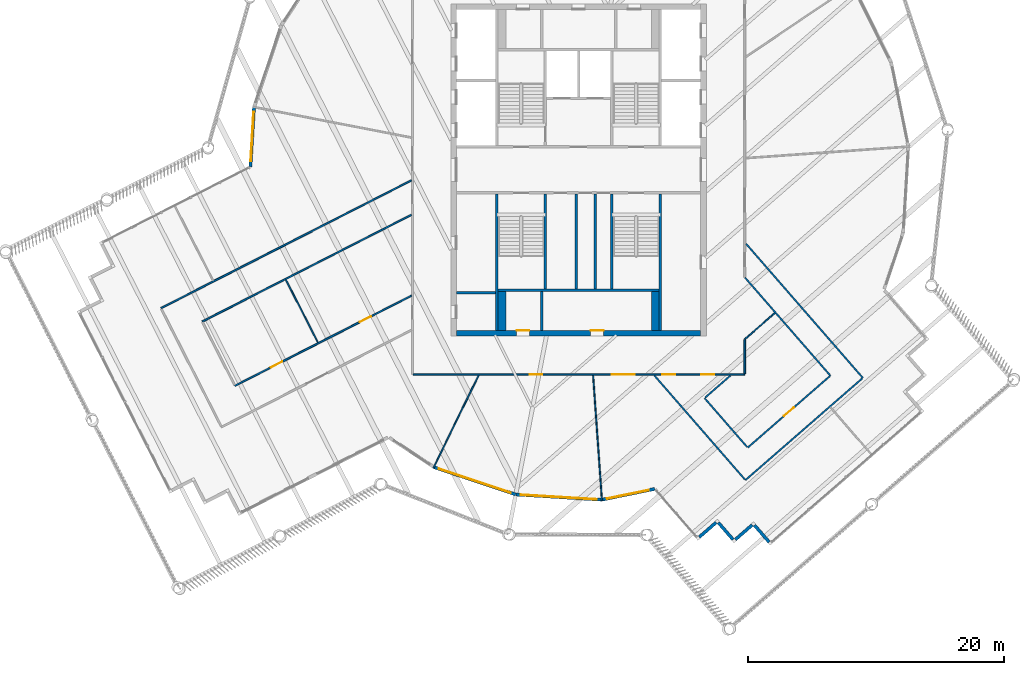
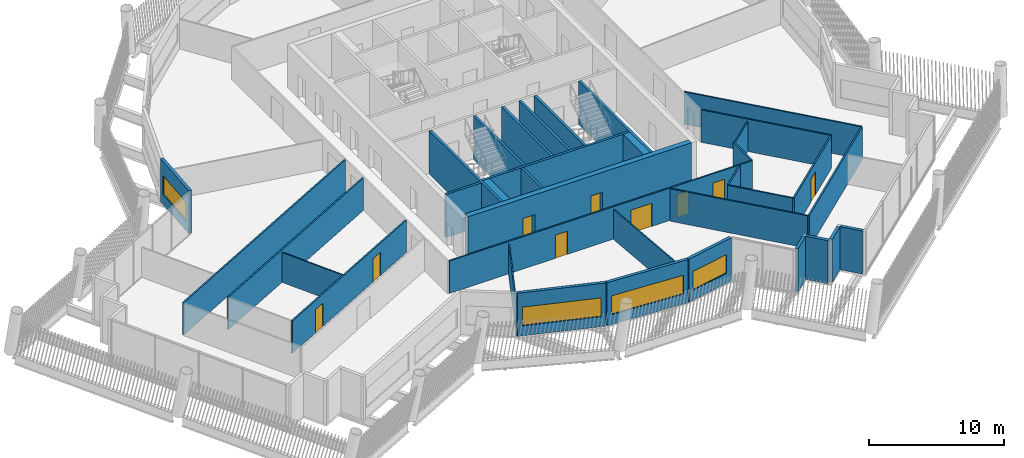
# One storey, part 18 of 28: 36 walls, 9 doors, 4 windows, 13 openings.
"""IFC4 building model written with IfcOpenShell, lengths in metres."""

from ifc_helpers import new_model, si_unit, direction, frame, frame_2d, origin, place, context, subcontext, project, spatial, rectangle, extrude, material, layer, layer_set, type_object, element, fill, save


model = new_model("IFC4")

# Units and contexts
model_context = context("Model", 3, precision=1e-05, world=origin(), true_north=direction((0.0, 1.0)))
body_context = subcontext(model_context, "Body", "Model", "MODEL_VIEW")
ifc_project = project(units=[si_unit("LENGTHUNIT", "METRE"), si_unit("AREAUNIT", "SQUARE_METRE"), si_unit("VOLUMEUNIT", "CUBIC_METRE"), si_unit("PLANEANGLEUNIT", "RADIAN"), si_unit("MASSUNIT", "GRAM", prefix="KILO")], contexts=[model_context])

# Site, building, storey
site_placement = place(None, origin())
site = spatial("IfcSite", under=ifc_project, at=site_placement, CompositionType="ELEMENT")
building_placement = place(site_placement, origin())
building = spatial("IfcBuilding", under=site, at=building_placement, Name="Tarsis Ring Headquarters", CompositionType="ELEMENT")
storey_placement = place(building_placement, frame((0.0, 0.0, 394.39990234375)))
storey = spatial("IfcBuildingStorey", under=building, at=storey_placement, Name="L93", CompositionType="ELEMENT", Elevation=394.39990234375)

# Walls
ifc_material_1 = material(Name="Blockwork", Category="masonry")
ifc_layer_1 = layer(ifc_material_1, 0.199951171875)
ifc_layer_set_1 = layer_set([ifc_layer_1], Name="Core blockwork wall 200")
wall_type_1 = type_object("IfcWallType", Name="Core blockwork wall 200", PredefinedType="PARTITIONING", material=ifc_layer_set_1)
for number, where, z_axis, x_axis, name in (
    (1, (-9.550048828125, -9.60009765625, 0.0), (0.0, 0.0, 1.0), (1.0, 0.0, 0.0), "Core partition WD1"),
    (2, (-2.89990234375, -12.550048828125, 0.0), (0.0, 0.0, 1.0), (0.0, 1.0, 0.0), "Core partition SD1"),
):
    element("IfcWall", number, at=place(storey_placement, frame(where, z_axis=z_axis, x_axis=x_axis)), inside=storey, type_object=wall_type_1, Name=name, PredefinedType="PARTITIONING", context=body_context, shape_type="SweptSolid", body=[
        extrude(rectangle(XDim=3.050048828125, YDim=0.199951171875, at=frame_2d((1.52490234375, 0.0))), origin(), (0.0, 0.0, 1.0), 3.900146484375),
    ])
for number, where, z_axis, x_axis, name in (
    (3, (-0.199951171875, -9.300048828125, 0.0), (0.0, 0.0, 1.0), (0.0, 1.0, 0.0), "Core partition SV1"),
    (4, (1.300048828125, -9.300048828125, 0.0), (0.0, 0.0, 1.0), (0.0, 1.0, 0.0), "Core partition SV2"),
):
    element("IfcWall", number, at=place(storey_placement, frame(where, z_axis=z_axis, x_axis=x_axis)), inside=storey, type_object=wall_type_1, Name=name, PredefinedType="PARTITIONING", context=body_context, shape_type="SweptSolid", body=[
        extrude(rectangle(XDim=7.400146484375, YDim=0.199951171875, at=frame_2d((3.7001953125, 0.0))), origin(), (0.0, 0.0, 1.0), 3.900146484375),
    ])

# Wall, openings, doors
ifc_material_2 = material(Name="Concrete C50/60", Category="concrete")
ifc_layer_2 = layer(ifc_material_2, 0.449951171875)
ifc_layer_set_2 = layer_set([ifc_layer_2], Name="Core wall 450 C50/60")
wall_type_2 = type_object("IfcWallType", Name="Core wall 450 C50/60", PredefinedType="SHEAR", material=ifc_layer_set_2)
wall_1_placement = place(storey_placement, frame((-9.550048828125, -12.77490234375, 0.0), z_axis=(0.0, 0.0, 1.0), x_axis=(1.0, 0.0, 0.0)))
wall_1 = element("IfcWall", 5, at=wall_1_placement, inside=storey, type_object=wall_type_2, Name="Core wall OS", PredefinedType="SHEAR", context=body_context, shape_type="SweptSolid", body=[
    extrude(rectangle(XDim=19.10009765625, YDim=0.449951171875, at=frame_2d((9.550048828125, 0.0))), origin(), (0.0, 0.0, 1.0), 3.900146484375),
])
opening_1_placement = place(wall_1_placement, frame((4.699951171875, 0.0, 0.0)))
opening_1 = element("IfcOpeningElement", 6, at=opening_1_placement, cuts=wall_1, Name="Opening L93-C17", PredefinedType="OPENING", context=body_context, shape_type="SweptSolid", body=[
    extrude(rectangle(XDim=1.0, YDim=2.10009765625, at=frame_2d((0.5, 1.050048828125))), frame((0.0, 0.23486328125, 0.0), z_axis=(0.0, -1.0, 0.0), x_axis=(1.0, 0.0, 0.0)), (0.0, 0.0, 1.0), 0.469970703125),
])
opening_2_placement = place(wall_1_placement, frame((10.5, 0.0, 0.0)))
opening_2 = element("IfcOpeningElement", 7, at=opening_2_placement, cuts=wall_1, Name="Opening L93-C18", PredefinedType="OPENING", context=body_context, shape_type="SweptSolid", body=[
    extrude(rectangle(XDim=1.0, YDim=2.10009765625, at=frame_2d((0.5, 1.050048828125))), frame((0.0, 0.23486328125, 0.0), z_axis=(0.0, -1.0, 0.0), x_axis=(1.0, 0.0, 0.0)), (0.0, 0.0, 1.0), 0.469970703125),
])
ifc_material_3 = material(Name="Steel S355", Category="steel")
door_type_1 = type_object("IfcDoorType", Name="Core room door 1000x2100", OperationType="SINGLE_SWING_LEFT", PredefinedType="DOOR", material=ifc_material_3)
door_1_placement = place(opening_1_placement, origin())
door_1 = element("IfcDoor", 8, at=door_1_placement, inside=storey, type_object=door_type_1, Name="Core room door L93", OperationType="SINGLE_SWING_LEFT", OverallHeight=2.10009765625, OverallWidth=1.0, PredefinedType="DOOR", context=body_context, shape_type="SweptSolid", body=[
    extrude(rectangle(XDim=1.0, YDim=2.10009765625, at=frame_2d((0.5, 1.050048828125))), frame((0.0, 0.22509765625, 0.0), z_axis=(0.0, -1.0, 0.0), x_axis=(1.0, 0.0, 0.0)), (0.0, 0.0, 1.0), 0.050048828125),
])
fill(opening_1, door_1)
door_2_placement = place(opening_2_placement, origin())
door_2 = element("IfcDoor", 9, at=door_2_placement, inside=storey, type_object=door_type_1, Name="Core room door L93", OperationType="SINGLE_SWING_LEFT", OverallHeight=2.10009765625, OverallWidth=1.0, PredefinedType="DOOR", context=body_context, shape_type="SweptSolid", body=[
    extrude(rectangle(XDim=1.0, YDim=2.10009765625, at=frame_2d((0.5, 1.050048828125))), frame((0.0, 0.22509765625, 0.0), z_axis=(0.0, -1.0, 0.0), x_axis=(1.0, 0.0, 0.0)), (0.0, 0.0, 1.0), 0.050048828125),
])
fill(opening_2, door_2)

# Walls
ifc_material_4 = material(Name="Gypsum board on steel studs", Category="steel")
ifc_layer_3 = layer(ifc_material_4, 0.10009765625)
ifc_layer_set_3 = layer_set([ifc_layer_3], Name="FL partition 100 unrated")
wall_type_3 = type_object("IfcWallType", Name="FL partition 100 unrated", PredefinedType="PARTITIONING", material=ifc_layer_set_3)
wall_2_placement = place(storey_placement, frame((1.135009765625, -16.06982421875, 0.0), z_axis=(0.0, 0.0, 1.0), x_axis=(0.070453410456, -0.997515071042, 0.0)))
element("IfcWall", 10, at=wall_2_placement, inside=storey, type_object=wall_type_3, Name="Partition PW3", PredefinedType="PARTITIONING", context=body_context, shape_type="SweptSolid", body=[
    extrude(rectangle(XDim=9.837890625, YDim=0.10009765625, at=frame_2d((4.9189453125, 0.0))), origin(), (0.0, 0.0, 1.0), 2.7001953125),
])
wall_3_placement = place(storey_placement, frame((-11.3583984375, -23.32958984375, 0.0), z_axis=(0.0, 0.0, 1.0), x_axis=(0.437740014121, 0.89910159606, 0.0)))
element("IfcWall", 11, at=wall_3_placement, inside=storey, type_object=wall_type_3, Name="Partition PW3", PredefinedType="PARTITIONING", context=body_context, shape_type="SweptSolid", body=[
    extrude(rectangle(XDim=8.072021484375, YDim=0.10009765625, at=frame_2d((4.0361328125, 0.0))), origin(), (0.0, 0.0, 1.0), 2.7001953125),
])
wall_4_placement = place(storey_placement, frame((-22.90283203125, -8.602294921875, 0.0), z_axis=(0.0, 0.0, 1.0), x_axis=(0.454602598508, -0.890694379364, 0.0)))
element("IfcWall", 12, at=wall_4_placement, inside=storey, type_object=wall_type_3, Name="Partition PW3", PredefinedType="PARTITIONING", context=body_context, shape_type="SweptSolid", body=[
    extrude(rectangle(XDim=5.499755859375, YDim=0.10009765625, at=frame_2d((2.75, 0.0))), origin(), (0.0, 0.0, 1.0), 2.7001953125),
])
wall_5_placement = place(storey_placement, frame((13.001220703125, -13.24951171875, 0.0), z_axis=(0.0, 0.0, 1.0), x_axis=(0.754308315199, 0.656520346693, 0.0)))
element("IfcWall", 13, at=wall_5_placement, inside=storey, type_object=wall_type_3, Name="Partition PW3", PredefinedType="PARTITIONING", context=body_context, shape_type="SweptSolid", body=[
    extrude(rectangle(XDim=3.11328125, YDim=0.10009765625, at=frame_2d((1.556640625, 0.0))), origin(), (0.0, 0.0, 1.0), 2.7001953125),
])

# Wall, openings, doors
ifc_layer_4 = layer(ifc_material_4, 0.125)
ifc_layer_set_4 = layer_set([ifc_layer_4], Name="FL partition 125 EI 60 H2930")
wall_type_4 = type_object("IfcWallType", Name="FL partition 125 EI 60 H2930", PredefinedType="PARTITIONING", material=ifc_layer_set_4)
wall_6_placement = place(storey_placement, frame((-12.93994140625, -16.0, 0.0), z_axis=(0.0, 0.0, 1.0), x_axis=(1.0, 0.0, 0.0)))
wall_6 = element("IfcWall", 14, at=wall_6_placement, inside=storey, type_object=wall_type_4, Name="Partition PW1H293", PredefinedType="PARTITIONING", context=body_context, shape_type="SweptSolid", body=[
    extrude(rectangle(XDim=25.93896484375, YDim=0.125, at=frame_2d((12.969482421875, 0.0))), origin(), (0.0, 0.0, 1.0), 2.93017578125),
])
opening_3_placement = place(wall_6_placement, frame((15.531982421875, 0.0, 0.0)))
opening_3 = element("IfcOpeningElement", 15, at=opening_3_placement, cuts=wall_6, Name="Opening D93.09", PredefinedType="OPENING", context=body_context, shape_type="SweptSolid", body=[
    extrude(rectangle(XDim=1.800048828125, YDim=2.10009765625, at=frame_2d((0.89990234375, 1.050048828125))), frame((0.0, 0.072509765625, 0.0), z_axis=(0.0, -1.0, 0.0), x_axis=(1.0, 0.0, 0.0)), (0.0, 0.0, 1.0), 0.14501953125),
])
opening_4_placement = place(wall_6_placement, frame((9.110107421875, 0.0, 0.0)))
opening_4 = element("IfcOpeningElement", 16, at=opening_4_placement, cuts=wall_6, Name="Opening D93.10", PredefinedType="OPENING", context=body_context, shape_type="SweptSolid", body=[
    extrude(rectangle(XDim=1.0, YDim=2.10009765625, at=frame_2d((0.5, 1.050048828125))), frame((0.0, 0.072509765625, 0.0), z_axis=(0.0, -1.0, 0.0), x_axis=(1.0, 0.0, 0.0)), (0.0, 0.0, 1.0), 0.14501953125),
])
opening_5_placement = place(wall_6_placement, frame((19.4873046875, 0.0, 0.0)))
opening_5 = element("IfcOpeningElement", 17, at=opening_5_placement, cuts=wall_6, Name="Opening D93.14", PredefinedType="OPENING", context=body_context, shape_type="SweptSolid", body=[
    extrude(rectangle(XDim=1.0, YDim=2.10009765625, at=frame_2d((0.5, 1.050048828125))), frame((0.0, 0.072509765625, 0.0), z_axis=(0.0, -1.0, 0.0), x_axis=(1.0, 0.0, 0.0)), (0.0, 0.0, 1.0), 0.14501953125),
])
opening_6_placement = place(wall_6_placement, frame((22.55419921875, 0.0, 0.0)))
opening_6 = element("IfcOpeningElement", 18, at=opening_6_placement, cuts=wall_6, Name="Opening D93.15", PredefinedType="OPENING", context=body_context, shape_type="SweptSolid", body=[
    extrude(rectangle(XDim=1.0, YDim=2.10009765625, at=frame_2d((0.5, 1.050048828125))), frame((0.0, 0.072509765625, 0.0), z_axis=(0.0, -1.0, 0.0), x_axis=(1.0, 0.0, 0.0)), (0.0, 0.0, 1.0), 0.14501953125),
])
ifc_material_5 = material(Name="Fire-rated timber door leaf in steel frame", Category="steel")
door_type_2 = type_object("IfcDoorType", Name="FL door FD60-1000", OperationType="NOTDEFINED", PredefinedType="DOOR", material=ifc_material_5)
door_3_placement = place(opening_4_placement, origin())
door_3 = element("IfcDoor", 19, at=door_3_placement, inside=storey, type_object=door_type_2, Name="Door D93.10", OperationType="SINGLE_SWING_LEFT", OverallHeight=2.10009765625, OverallWidth=1.0, PredefinedType="DOOR", context=body_context, shape_type="SweptSolid", body=[
    extrude(rectangle(XDim=1.0, YDim=2.10009765625, at=frame_2d((0.5, 1.050048828125))), frame((0.0, 0.02490234375, 0.0), z_axis=(0.0, -1.0, 0.0), x_axis=(1.0, 0.0, 0.0)), (0.0, 0.0, 1.0), 0.050048828125),
])
fill(opening_4, door_3)
door_4_placement = place(opening_5_placement, origin())
door_4 = element("IfcDoor", 20, at=door_4_placement, inside=storey, type_object=door_type_2, Name="Door D93.14", OperationType="SINGLE_SWING_LEFT", OverallHeight=2.10009765625, OverallWidth=1.0, PredefinedType="DOOR", context=body_context, shape_type="SweptSolid", body=[
    extrude(rectangle(XDim=1.0, YDim=2.10009765625, at=frame_2d((0.5, 1.050048828125))), frame((0.0, 0.02490234375, 0.0), z_axis=(0.0, -1.0, 0.0), x_axis=(1.0, 0.0, 0.0)), (0.0, 0.0, 1.0), 0.050048828125),
])
fill(opening_5, door_4)
door_5_placement = place(opening_6_placement, origin())
door_5 = element("IfcDoor", 21, at=door_5_placement, inside=storey, type_object=door_type_2, Name="Door D93.15", OperationType="SINGLE_SWING_RIGHT", OverallHeight=2.10009765625, OverallWidth=1.0, PredefinedType="DOOR", context=body_context, shape_type="SweptSolid", body=[
    extrude(rectangle(XDim=1.0, YDim=2.10009765625, at=frame_2d((0.5, 1.050048828125))), frame((0.0, 0.02490234375, 0.0), z_axis=(0.0, -1.0, 0.0), x_axis=(1.0, 0.0, 0.0)), (0.0, 0.0, 1.0), 0.050048828125),
])
fill(opening_6, door_5)
door_type_3 = type_object("IfcDoorType", Name="FL door FD60-1800", OperationType="DOUBLE_DOOR_SINGLE_SWING", PredefinedType="DOOR", material=ifc_material_5)
door_6_placement = place(opening_3_placement, origin())
door_6 = element("IfcDoor", 22, at=door_6_placement, inside=storey, type_object=door_type_3, Name="Door D93.09", OperationType="DOUBLE_DOOR_SINGLE_SWING", OverallHeight=2.10009765625, OverallWidth=1.800048828125, PredefinedType="DOOR", context=body_context, shape_type="SweptSolid", body=[
    extrude(rectangle(XDim=1.800048828125, YDim=2.10009765625, at=frame_2d((0.89990234375, 1.050048828125))), frame((0.0, 0.02490234375, 0.0), z_axis=(0.0, -1.0, 0.0), x_axis=(1.0, 0.0, 0.0)), (0.0, 0.0, 1.0), 0.050048828125),
])
fill(opening_3, door_6)

# Walls
wall_7_placement = place(storey_placement, frame((-32.68310546875, -10.821044921875, 0.0), z_axis=(0.0, 0.0, 1.0), x_axis=(0.89069147461, 0.454608289691, 0.0)))
element("IfcWall", 23, at=wall_7_placement, inside=storey, type_object=wall_type_4, Name="Partition PW1H293", PredefinedType="PARTITIONING", context=body_context, shape_type="SweptSolid", body=[
    extrude(rectangle(XDim=22.0087890625, YDim=0.125, at=frame_2d((11.00439453125, 0.0))), origin(), (0.0, 0.0, 1.0), 2.93017578125),
])
wall_8_placement = place(storey_placement, frame((-29.45458984375, -11.86767578125, 0.0), z_axis=(0.0, 0.0, 1.0), x_axis=(0.8906886778, 0.454613769302, 0.0)))
element("IfcWall", 24, at=wall_8_placement, inside=storey, type_object=wall_type_4, Name="Partition PW1H293", PredefinedType="PARTITIONING", context=body_context, shape_type="SweptSolid", body=[
    extrude(rectangle(XDim=18.384033203125, YDim=0.125, at=frame_2d((9.19189453125, 0.0))), origin(), (0.0, 0.0, 1.0), 2.93017578125),
])

# Wall, openings, doors
wall_9_placement = place(storey_placement, frame((-26.890380859375, -16.89111328125, 0.0), z_axis=(0.0, 0.0, 1.0), x_axis=(0.890689920342, 0.454611334879, 0.0)))
wall_9 = element("IfcWall", 25, at=wall_9_placement, inside=storey, type_object=wall_type_4, Name="Partition PW1H293", PredefinedType="PARTITIONING", context=body_context, shape_type="SweptSolid", body=[
    extrude(rectangle(XDim=15.505126953125, YDim=0.125, at=frame_2d((7.75244140625, 0.0))), origin(), (0.0, 0.0, 1.0), 2.93017578125),
])
opening_7_placement = place(wall_9_placement, frame((10.956298828125, 0.0, 0.0)))
opening_7 = element("IfcOpeningElement", 26, at=opening_7_placement, cuts=wall_9, Name="Opening D93.11", PredefinedType="OPENING", context=body_context, shape_type="SweptSolid", body=[
    extrude(rectangle(XDim=1.0, YDim=2.10009765625, at=frame_2d((0.5, 1.050048828125))), frame((0.0, 0.072509765625, 0.0), z_axis=(0.0, -1.0, 0.0), x_axis=(1.0, 0.0, 0.0)), (0.0, 0.0, 1.0), 0.14501953125),
])
opening_8_placement = place(wall_9_placement, frame((3.15869140625, 0.0, 0.0)))
opening_8 = element("IfcOpeningElement", 27, at=opening_8_placement, cuts=wall_9, Name="Opening D93.12", PredefinedType="OPENING", context=body_context, shape_type="SweptSolid", body=[
    extrude(rectangle(XDim=1.0, YDim=2.10009765625, at=frame_2d((0.5, 1.050048828125))), frame((0.0, 0.072509765625, 0.0), z_axis=(0.0, -1.0, 0.0), x_axis=(1.0, 0.0, 0.0)), (0.0, 0.0, 1.0), 0.14501953125),
])
door_7_placement = place(opening_7_placement, origin())
door_7 = element("IfcDoor", 28, at=door_7_placement, inside=storey, type_object=door_type_2, Name="Door D93.11", OperationType="SINGLE_SWING_RIGHT", OverallHeight=2.10009765625, OverallWidth=1.0, PredefinedType="DOOR", context=body_context, shape_type="SweptSolid", body=[
    extrude(rectangle(XDim=1.0, YDim=2.10009765625, at=frame_2d((0.5, 1.050048828125))), frame((0.0, 0.02490234375, 0.0), z_axis=(0.0, -1.0, 0.0), x_axis=(1.0, 0.0, 0.0)), (0.0, 0.0, 1.0), 0.050048828125),
])
fill(opening_7, door_7)
door_8_placement = place(opening_8_placement, origin())
door_8 = element("IfcDoor", 29, at=door_8_placement, inside=storey, type_object=door_type_2, Name="Door D93.12", OperationType="SINGLE_SWING_LEFT", OverallHeight=2.10009765625, OverallWidth=1.0, PredefinedType="DOOR", context=body_context, shape_type="SweptSolid", body=[
    extrude(rectangle(XDim=1.0, YDim=2.10009765625, at=frame_2d((0.5, 1.050048828125))), frame((0.0, 0.02490234375, 0.0), z_axis=(0.0, -1.0, 0.0), x_axis=(1.0, 0.0, 0.0)), (0.0, 0.0, 1.0), 0.050048828125),
])
fill(opening_8, door_8)

# Walls
wall_10_placement = place(storey_placement, frame((13.098388671875, -5.771484375, 0.0), z_axis=(0.0, 0.0, 1.0), x_axis=(0.656587462405, -0.75424989507, 0.0)))
element("IfcWall", 30, at=wall_10_placement, inside=storey, type_object=wall_type_4, Name="Partition PW1H293", PredefinedType="PARTITIONING", context=body_context, shape_type="SweptSolid", body=[
    extrude(rectangle(XDim=13.926513671875, YDim=0.125, at=frame_2d((6.96337890625, 0.0))), origin(), (0.0, 0.0, 1.0), 2.93017578125),
])
wall_11_placement = place(storey_placement, frame((13.0556640625, -24.27294921875, 0.0), z_axis=(0.0, 0.0, 1.0), x_axis=(0.754247633712, 0.656590060114, 0.0)))
element("IfcWall", 31, at=wall_11_placement, inside=storey, type_object=wall_type_4, Name="Partition PW1H293", PredefinedType="PARTITIONING", context=body_context, shape_type="SweptSolid", body=[
    extrude(rectangle(XDim=12.119873046875, YDim=0.125, at=frame_2d((6.06005859375, 0.0))), origin(), (0.0, 0.0, 1.0), 2.93017578125),
])
wall_12_placement = place(storey_placement, frame((5.932861328125, -16.090576171875, 0.0), z_axis=(0.0, 0.0, 1.0), x_axis=(0.656581465509, -0.754255115429, 0.0)))
element("IfcWall", 32, at=wall_12_placement, inside=storey, type_object=wall_type_4, Name="Partition PW1H293", PredefinedType="PARTITIONING", context=body_context, shape_type="SweptSolid", body=[
    extrude(rectangle(XDim=10.7880859375, YDim=0.125, at=frame_2d((5.39404296875, 0.0))), origin(), (0.0, 0.0, 1.0), 2.93017578125),
])
wall_13_placement = place(storey_placement, frame((13.019775390625, -8.422607421875, 0.0), z_axis=(0.0, 0.0, 1.0), x_axis=(0.656583614127, -0.754253245044, 0.0)))
element("IfcWall", 33, at=wall_13_placement, inside=storey, type_object=wall_type_4, Name="Partition PW1H293", PredefinedType="PARTITIONING", context=body_context, shape_type="SweptSolid", body=[
    extrude(rectangle(XDim=10.1787109375, YDim=0.125, at=frame_2d((5.08935546875, 0.0))), origin(), (0.0, 0.0, 1.0), 2.93017578125),
])

# Wall, opening, door
wall_14_placement = place(storey_placement, frame((13.2314453125, -21.7333984375, 0.0), z_axis=(0.0, 0.0, 1.0), x_axis=(0.754260569242, 0.656575200329, 0.0)))
wall_14 = element("IfcWall", 34, at=wall_14_placement, inside=storey, type_object=wall_type_4, Name="Partition PW1H293", PredefinedType="PARTITIONING", context=body_context, shape_type="SweptSolid", body=[
    extrude(rectangle(XDim=8.52001953125, YDim=0.125, at=frame_2d((4.260009765625, 0.0))), origin(), (0.0, 0.0, 1.0), 2.93017578125),
])
opening_9_placement = place(wall_14_placement, frame((3.7900390625, 0.0, 0.0)))
opening_9 = element("IfcOpeningElement", 35, at=opening_9_placement, cuts=wall_14, Name="Opening D93.13", PredefinedType="OPENING", context=body_context, shape_type="SweptSolid", body=[
    extrude(rectangle(XDim=1.0, YDim=2.10009765625, at=frame_2d((0.5, 1.050048828125))), frame((0.0, 0.072509765625, 0.0), z_axis=(0.0, -1.0, 0.0), x_axis=(1.0, 0.0, 0.0)), (0.0, 0.0, 1.0), 0.14501953125),
])
door_9_placement = place(opening_9_placement, origin())
door_9 = element("IfcDoor", 36, at=door_9_placement, inside=storey, type_object=door_type_2, Name="Door D93.13", OperationType="SINGLE_SWING_RIGHT", OverallHeight=2.10009765625, OverallWidth=1.0, PredefinedType="DOOR", context=body_context, shape_type="SweptSolid", body=[
    extrude(rectangle(XDim=1.0, YDim=2.10009765625, at=frame_2d((0.5, 1.050048828125))), frame((0.0, 0.02490234375, 0.0), z_axis=(0.0, -1.0, 0.0), x_axis=(1.0, 0.0, 0.0)), (0.0, 0.0, 1.0), 0.050048828125),
])
fill(opening_9, door_9)

# Walls
wall_15_placement = place(storey_placement, frame((9.856201171875, -17.85595703125, 0.0), z_axis=(0.0, 0.0, 1.0), x_axis=(0.656570046654, -0.754265055426, 0.0)))
element("IfcWall", 37, at=wall_15_placement, inside=storey, type_object=wall_type_4, Name="Partition PW1H293", PredefinedType="PARTITIONING", context=body_context, shape_type="SweptSolid", body=[
    extrude(rectangle(XDim=5.08056640625, YDim=0.125, at=frame_2d((2.540283203125, 0.0))), origin(), (0.0, 0.0, 1.0), 2.93017578125),
])
wall_16_placement = place(storey_placement, frame((9.90185546875, -17.817138671875, 0.0), z_axis=(0.0, 0.0, 1.0), x_axis=(0.754261934963, 0.656573631412, 0.0)))
element("IfcWall", 38, at=wall_16_placement, inside=storey, type_object=wall_type_4, Name="Partition PW1H293", PredefinedType="PARTITIONING", context=body_context, shape_type="SweptSolid", body=[
    extrude(rectangle(XDim=2.61669921875, YDim=0.125, at=frame_2d((1.308349609375, 0.0))), origin(), (0.0, 0.0, 1.0), 2.93017578125),
])
wall_17_placement = place(storey_placement, frame((13.0, -15.93896484375, 0.0), z_axis=(0.0, 0.0, 1.0), x_axis=(0.0, 1.0, 0.0)))
element("IfcWall", 39, at=wall_17_placement, inside=storey, type_object=wall_type_4, Name="Partition PW1H293", PredefinedType="PARTITIONING", context=body_context, shape_type="SweptSolid", body=[
    extrude(rectangle(XDim=2.660888671875, YDim=0.125, at=frame_2d((1.33056640625, 0.0))), origin(), (0.0, 0.0, 1.0), 2.93017578125),
])

# Wall, opening, window
ifc_material_6 = material(Name="Terracotta clad insulated panel wall", Category="masonry")
ifc_layer_5 = layer(ifc_material_6, 0.25)
ifc_layer_set_5 = layer_set([ifc_layer_5], Name="Facade wall terracotta panel 250")
wall_type_5 = type_object("IfcWallType", Name="Facade wall terracotta panel 250", PredefinedType="STANDARD", material=ifc_layer_set_5)
wall_18_placement = place(storey_placement, frame((-11.310546875, -23.2685546875, 0.0), z_axis=(0.0, 0.0, 1.0), x_axis=(0.948552457275, -0.316620018, 0.0)))
wall_18 = element("IfcWall", 40, at=wall_18_placement, inside=storey, type_object=wall_type_5, Name="External wall L93-03", PredefinedType="STANDARD", context=body_context, shape_type="SweptSolid", body=[
    extrude(rectangle(XDim=6.721435546875, YDim=0.25, at=frame_2d((3.36083984375, 0.0))), origin(), (0.0, 0.0, 1.0), 3.900146484375),
])
opening_10_placement = place(wall_18_placement, frame((0.3857421875, 0.0, 0.89990234375)))
opening_10 = element("IfcOpeningElement", 41, at=opening_10_placement, cuts=wall_18, Name="Opening WN07", PredefinedType="OPENING", context=body_context, shape_type="SweptSolid", body=[
    extrude(rectangle(XDim=5.949951171875, YDim=1.699951171875, at=frame_2d((2.97509765625, 0.85009765625))), frame((0.0, 0.135009765625, 0.0), z_axis=(0.0, -1.0, 0.0), x_axis=(1.0, 0.0, 0.0)), (0.0, 0.0, 1.0), 0.27001953125),
])
ifc_material_7 = material(Name="Aluminium framed double glazing", Category="aluminium")
window_type_1 = type_object("IfcWindowType", Name="Facade window 5950 x 1700", PartitioningType="SINGLE_PANEL", PredefinedType="WINDOW", material=ifc_material_7)
window_1_placement = place(opening_10_placement, origin())
window_1 = element("IfcWindow", 42, at=window_1_placement, inside=storey, type_object=window_type_1, Name="Window L93-03.1", OverallHeight=1.699951171875, OverallWidth=5.949951171875, PartitioningType="SINGLE_PANEL", PredefinedType="WINDOW", context=body_context, shape_type="SweptSolid", body=[
    extrude(rectangle(XDim=5.949951171875, YDim=1.699951171875, at=frame_2d((2.97509765625, 0.85009765625))), frame((0.0, 0.030029296875, 0.0), z_axis=(0.0, -1.0, 0.0), x_axis=(1.0, 0.0, 0.0)), (0.0, 0.0, 1.0), 0.06005859375),
])
fill(opening_10, window_1)

wall_19_placement = place(storey_placement, frame((-4.90283203125, -25.403076171875, 0.0), z_axis=(0.0, 0.0, 1.0), x_axis=(0.99817838637, -0.060331658228, 0.0)))
wall_19 = element("IfcWall", 43, at=wall_19_placement, inside=storey, type_object=wall_type_5, Name="External wall L93-04", PredefinedType="STANDARD", context=body_context, shape_type="SweptSolid", body=[
    extrude(rectangle(XDim=6.721435546875, YDim=0.25, at=frame_2d((3.36083984375, 0.0))), origin(), (0.0, 0.0, 1.0), 3.900146484375),
])
opening_11_placement = place(wall_19_placement, frame((0.3857421875, 0.0, 0.89990234375)))
opening_11 = element("IfcOpeningElement", 44, at=opening_11_placement, cuts=wall_19, Name="Opening WN07", PredefinedType="OPENING", context=body_context, shape_type="SweptSolid", body=[
    extrude(rectangle(XDim=5.949951171875, YDim=1.699951171875, at=frame_2d((2.97509765625, 0.85009765625))), frame((0.0, 0.135009765625, 0.0), z_axis=(0.0, -1.0, 0.0), x_axis=(1.0, 0.0, 0.0)), (0.0, 0.0, 1.0), 0.27001953125),
])
window_2_placement = place(opening_11_placement, origin())
window_2 = element("IfcWindow", 45, at=window_2_placement, inside=storey, type_object=window_type_1, Name="Window L93-04.1", OverallHeight=1.699951171875, OverallWidth=5.949951171875, PartitioningType="SINGLE_PANEL", PredefinedType="WINDOW", context=body_context, shape_type="SweptSolid", body=[
    extrude(rectangle(XDim=5.949951171875, YDim=1.699951171875, at=frame_2d((2.97509765625, 0.85009765625))), frame((0.0, 0.030029296875, 0.0), z_axis=(0.0, -1.0, 0.0), x_axis=(1.0, 0.0, 0.0)), (0.0, 0.0, 1.0), 0.06005859375),
])
fill(opening_11, window_2)

wall_20_placement = place(storey_placement, frame((1.839111328125, -25.806396484375, 0.0), z_axis=(0.0, 0.0, 1.0), x_axis=(0.979779428739, 0.200080661285, 0.0)))
wall_20 = element("IfcWall", 46, at=wall_20_placement, inside=storey, type_object=wall_type_5, Name="External wall L93-05", PredefinedType="STANDARD", context=body_context, shape_type="SweptSolid", body=[
    extrude(rectangle(XDim=4.202392578125, YDim=0.25, at=frame_2d((2.10107421875, 0.0))), origin(), (0.0, 0.0, 1.0), 3.900146484375),
])
opening_12_placement = place(wall_20_placement, frame((0.38720703125, 0.0, 0.89990234375)))
opening_12 = element("IfcOpeningElement", 47, at=opening_12_placement, cuts=wall_20, Name="Opening WN01", PredefinedType="OPENING", context=body_context, shape_type="SweptSolid", body=[
    extrude(rectangle(XDim=3.35009765625, YDim=1.699951171875, at=frame_2d((1.675048828125, 0.85009765625))), frame((0.0, 0.135009765625, 0.0), z_axis=(0.0, -1.0, 0.0), x_axis=(1.0, 0.0, 0.0)), (0.0, 0.0, 1.0), 0.27001953125),
])
window_type_2 = type_object("IfcWindowType", Name="Facade window 3350 x 1700", PartitioningType="SINGLE_PANEL", PredefinedType="WINDOW", material=ifc_material_7)
window_3_placement = place(opening_12_placement, origin())
window_3 = element("IfcWindow", 48, at=window_3_placement, inside=storey, type_object=window_type_2, Name="Window L93-05.1", OverallHeight=1.699951171875, OverallWidth=3.35009765625, PartitioningType="SINGLE_PANEL", PredefinedType="WINDOW", context=body_context, shape_type="SweptSolid", body=[
    extrude(rectangle(XDim=3.35009765625, YDim=1.699951171875, at=frame_2d((1.675048828125, 0.85009765625))), frame((0.0, 0.030029296875, 0.0), z_axis=(0.0, -1.0, 0.0), x_axis=(1.0, 0.0, 0.0)), (0.0, 0.0, 1.0), 0.06005859375),
])
fill(opening_12, window_3)

# Walls
for number, where, z_axis, x_axis, name in (
    (49, (9.43994140625, -28.73974609375, 0.0), (0.0, 0.0, 1.0), (0.754181884483, 0.656665580884, 0.0), "External wall L93-07"),
    (50, (10.936279296875, -27.602783203125, 0.0), (0.0, 0.0, 1.0), (0.656517128387, -0.754311116274, 0.0), "External wall L93-08"),
):
    element("IfcWall", number, at=place(storey_placement, frame(where, z_axis=z_axis, x_axis=x_axis)), inside=storey, type_object=wall_type_5, Name=name, PredefinedType="STANDARD", context=body_context, shape_type="SweptSolid", body=[
        extrude(rectangle(XDim=1.75, YDim=0.25, at=frame_2d((0.875, 0.0))), origin(), (0.0, 0.0, 1.0), 3.900146484375),
    ])
for number, where, z_axis, x_axis, name in (
    (51, (12.261474609375, -28.93505859375, 0.0), (0.0, 0.0, 1.0), (0.754242032321, 0.656596494569, 0.0), "External wall L93-09"),
    (52, (13.7578125, -27.798095703125, 0.0), (0.0, 0.0, 1.0), (0.656596494569, -0.754242032321, 0.0), "External wall L93-10"),
):
    element("IfcWall", number, at=place(storey_placement, frame(where, z_axis=z_axis, x_axis=x_axis)), inside=storey, type_object=wall_type_5, Name=name, PredefinedType="STANDARD", context=body_context, shape_type="SweptSolid", body=[
        extrude(rectangle(XDim=1.750244140625, YDim=0.25, at=frame_2d((0.875, 0.0))), origin(), (0.0, 0.0, 1.0), 3.900146484375),
    ])

# Wall, opening, window
wall_21_placement = place(storey_placement, frame((-25.403076171875, 4.90283203125, 0.0), z_axis=(0.0, 0.0, 1.0), x_axis=(-0.060318005226, -0.998179211487, 0.0)))
wall_21 = element("IfcWall", 53, at=wall_21_placement, inside=storey, type_object=wall_type_5, Name="External wall L93-30", PredefinedType="STANDARD", context=body_context, shape_type="SweptSolid", body=[
    extrude(rectangle(XDim=4.662841796875, YDim=0.25, at=frame_2d((2.33154296875, 0.0))), origin(), (0.0, 0.0, 1.0), 3.900146484375),
])
opening_13_placement = place(wall_21_placement, frame((0.367431640625, 0.0, 0.89990234375)))
opening_13 = element("IfcOpeningElement", 54, at=opening_13_placement, cuts=wall_21, Name="Opening WN02", PredefinedType="OPENING", context=body_context, shape_type="SweptSolid", body=[
    extrude(rectangle(XDim=3.85009765625, YDim=1.699951171875, at=frame_2d((1.925048828125, 0.85009765625))), frame((0.0, 0.135009765625, 0.0), z_axis=(0.0, -1.0, 0.0), x_axis=(1.0, 0.0, 0.0)), (0.0, 0.0, 1.0), 0.27001953125),
])
window_type_3 = type_object("IfcWindowType", Name="Facade window 3850 x 1700", PartitioningType="SINGLE_PANEL", PredefinedType="WINDOW", material=ifc_material_7)
window_4_placement = place(opening_13_placement, origin())
window_4 = element("IfcWindow", 55, at=window_4_placement, inside=storey, type_object=window_type_3, Name="Window L93-30.1", OverallHeight=1.699951171875, OverallWidth=3.85009765625, PartitioningType="SINGLE_PANEL", PredefinedType="WINDOW", context=body_context, shape_type="SweptSolid", body=[
    extrude(rectangle(XDim=3.85009765625, YDim=1.699951171875, at=frame_2d((1.925048828125, 0.85009765625))), frame((0.0, 0.030029296875, 0.0), z_axis=(0.0, -1.0, 0.0), x_axis=(1.0, 0.0, 0.0)), (0.0, 0.0, 1.0), 0.06005859375),
])
fill(opening_13, window_4)

# Walls
ifc_material_8 = material(Name="Concrete C32/40", Category="concrete")
ifc_layer_6 = layer(ifc_material_8, 0.60009765625)
ifc_layer_set_6 = layer_set([ifc_layer_6], Name="Shaft end wall 600 C32/40")
wall_type_6 = type_object("IfcWallType", Name="Shaft end wall 600 C32/40", PredefinedType="SOLIDWALL", material=ifc_layer_set_6)
for number, where, z_axis, x_axis, name in (
    (56, (-6.0, -12.550048828125, 0.0), (0.0, 0.0, 1.0), (0.0, 1.0, 0.0), "Core shaft wall SNE1"),
    (57, (6.0, -12.550048828125, 0.0), (0.0, 0.0, 1.0), (0.0, 1.0, 0.0), "Core shaft wall SNE2"),
):
    element("IfcWall", number, at=place(storey_placement, frame(where, z_axis=z_axis, x_axis=x_axis)), inside=storey, type_object=wall_type_6, Name=name, PredefinedType="SOLIDWALL", context=body_context, shape_type="SweptSolid", body=[
        extrude(rectangle(XDim=3.050048828125, YDim=0.60009765625, at=frame_2d((1.52490234375, 0.0))), origin(), (0.0, 0.0, 1.0), 3.900146484375),
    ])
ifc_layer_7 = layer(ifc_material_8, 0.199951171875)
ifc_layer_set_7 = layer_set([ifc_layer_7], Name="Shaft wall 200 C32/40")
wall_type_7 = type_object("IfcWallType", Name="Shaft wall 200 C32/40", PredefinedType="SOLIDWALL", material=ifc_layer_set_7)
for number, where, z_axis, x_axis, name in (
    (58, (-6.39990234375, -12.550048828125, 0.0), (0.0, 0.0, 1.0), (0.0, 1.0, 0.0), "Core shaft wall WB1"),
    (59, (6.39990234375, -12.550048828125, 0.0), (0.0, 0.0, 1.0), (0.0, 1.0, 0.0), "Core shaft wall EB1"),
):
    element("IfcWall", number, at=place(storey_placement, frame(where, z_axis=z_axis, x_axis=x_axis)), inside=storey, type_object=wall_type_7, Name=name, PredefinedType="SOLIDWALL", context=body_context, shape_type="SweptSolid", body=[
        extrude(rectangle(XDim=10.650146484375, YDim=0.199951171875, at=frame_2d((5.3251953125, 0.0))), origin(), (0.0, 0.0, 1.0), 3.900146484375),
    ])
wall_22_placement = place(storey_placement, frame((-6.300048828125, -9.39990234375, 0.0), z_axis=(0.0, 0.0, 1.0), x_axis=(1.0, 0.0, 0.0)))
element("IfcWall", 60, at=wall_22_placement, inside=storey, type_object=wall_type_7, Name="Core shaft wall SB", PredefinedType="SOLIDWALL", context=body_context, shape_type="SweptSolid", body=[
    extrude(rectangle(XDim=12.60009765625, YDim=0.199951171875, at=frame_2d((6.300048828125, 0.0))), origin(), (0.0, 0.0, 1.0), 3.900146484375),
])
for number, where, z_axis, x_axis, name in (
    (61, (-2.60009765625, -9.300048828125, 0.0), (0.0, 0.0, 1.0), (0.0, 1.0, 0.0), "Core shaft wall SW3"),
    (62, (2.60009765625, -9.300048828125, 0.0), (0.0, 0.0, 1.0), (0.0, 1.0, 0.0), "Core shaft wall SW4"),
):
    element("IfcWall", number, at=place(storey_placement, frame(where, z_axis=z_axis, x_axis=x_axis)), inside=storey, type_object=wall_type_7, Name=name, PredefinedType="SOLIDWALL", context=body_context, shape_type="SweptSolid", body=[
        extrude(rectangle(XDim=7.400146484375, YDim=0.199951171875, at=frame_2d((3.7001953125, 0.0))), origin(), (0.0, 0.0, 1.0), 3.900146484375),
    ])

save(model, "model.ifc")
